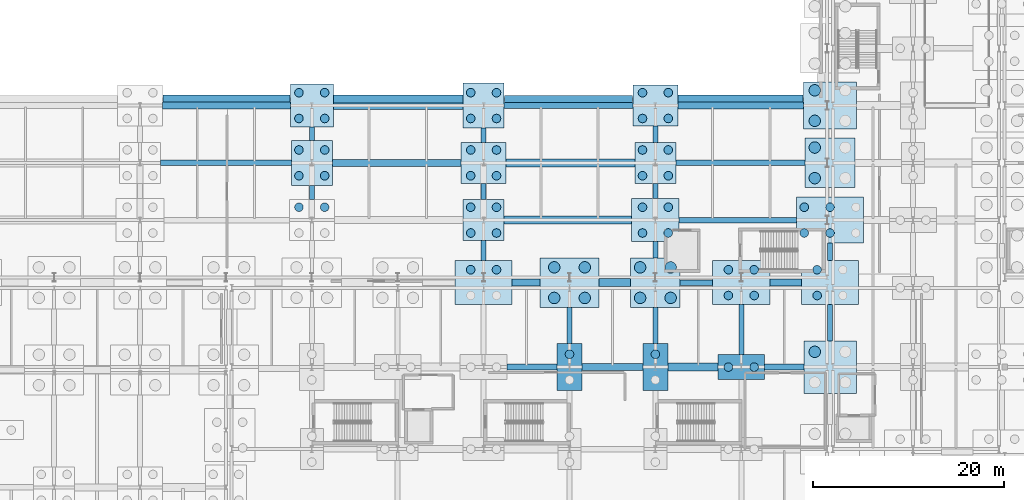
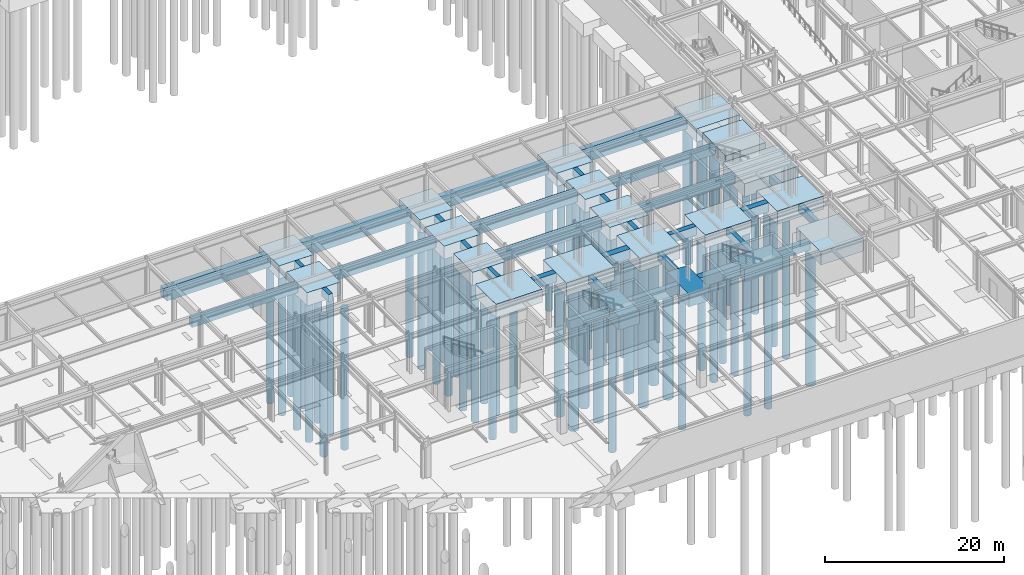
# One storey, part 5 of 65: 63 piles, 55 footings.
"""IFC4 building model written with IfcOpenShell, lengths in metres."""

from ifc_helpers import new_model, si_unit, direction, frame, origin, origin_2d, place, context, subcontext, project, spatial, rectangle, circle, extrude, material, material_profile, profile_set, type_object, element, save


model = new_model("IFC4")

# Units and contexts
model_context = context("Model", 3, precision=1e-05, world=origin(), true_north=direction((0.0, 1.0)))
body_context = subcontext(model_context, "Body", "Model", "MODEL_VIEW")
ifc_project = project(units=[si_unit("LENGTHUNIT", "METRE"), si_unit("AREAUNIT", "SQUARE_METRE"), si_unit("VOLUMEUNIT", "CUBIC_METRE"), si_unit("PLANEANGLEUNIT", "RADIAN"), si_unit("MASSUNIT", "GRAM", prefix="KILO")], contexts=[model_context])

# Site, building, storey
site_placement = place(None, origin())
site = spatial("IfcSite", under=ifc_project, at=site_placement, CompositionType="ELEMENT")
building_placement = place(site_placement, origin())
building = spatial("IfcBuilding", under=site, at=building_placement, Name="Kaldris Quays Convention Centre", CompositionType="ELEMENT")
storey_placement = place(building_placement, frame((0.0, 0.0, -5.39990234375)))
storey = spatial("IfcBuildingStorey", under=building, at=storey_placement, Name="B1", CompositionType="ELEMENT", Elevation=-5.39990234375)

# Piles
ifc_material = material(Name="Concrete C35/45", Category="concrete")
ifc_material_profile_1 = material_profile(ifc_material, circle(Radius=0.449951171875, at=origin_2d()), Name="BORED PILE D900")
ifc_profile_set_1 = profile_set([ifc_material_profile_1], Name="Concrete C35/45")
pile_type_1 = type_object("IfcPileType", Name="BORED PILE P01", PredefinedType="BORED", material=ifc_profile_set_1)
for number, where, z_axis, x_axis, name in (
    (1, (90.64990234375, 63.35009765625, -1.7001953125), (0.0, 0.0, -1.0), (1.0, 0.0, 0.0), "Bored Pile P01 325"),
    (2, (93.35009765625, 63.35009765625, -1.7001953125), (0.0, 0.0, -1.0), (1.0, 0.0, 0.0), "Bored Pile P01 326"),
    (3, (90.64990234375, 66.64990234375, -1.7001953125), (0.0, 0.0, -1.0), (1.0, 0.0, 0.0), "Bored Pile P01 327"),
    (4, (93.35009765625, 66.64990234375, -1.7001953125), (0.0, 0.0, -1.0), (1.0, 0.0, 0.0), "Bored Pile P01 328"),
    (5, (90.64990234375, 69.35009765625, -1.7001953125), (0.0, 0.0, -1.0), (1.0, 0.0, 0.0), "Bored Pile P01 329"),
    (6, (93.35009765625, 69.35009765625, -1.7001953125), (0.0, 0.0, -1.0), (1.0, 0.0, 0.0), "Bored Pile P01 330"),
    (7, (90.64990234375, 72.64990234375, -1.7001953125), (0.0, 0.0, -1.0), (1.0, 0.0, 0.0), "Bored Pile P01 331"),
    (8, (93.35009765625, 72.64990234375, -1.7001953125), (0.0, 0.0, -1.0), (1.0, 0.0, 0.0), "Bored Pile P01 332"),
    (9, (90.64990234375, 75.35009765625, -1.7001953125), (0.0, 0.0, -1.0), (1.0, 0.0, 0.0), "Bored Pile P01 333"),
    (10, (93.35009765625, 75.35009765625, -1.7001953125), (0.0, 0.0, -1.0), (1.0, 0.0, 0.0), "Bored Pile P01 334"),
    (11, (108.64990234375, 56.800048828125, -1.7001953125), (0.0, 0.0, -1.0), (1.0, 0.0, 0.0), "Bored Pile P01 365"),
    (12, (111.35009765625, 56.800048828125, -1.7001953125), (0.0, 0.0, -1.0), (1.0, 0.0, 0.0), "Bored Pile P01 366"),
    (13, (108.64990234375, 60.64990234375, -1.7001953125), (0.0, 0.0, -1.0), (1.0, 0.0, 0.0), "Bored Pile P01 367"),
    (14, (111.35009765625, 60.64990234375, -1.7001953125), (0.0, 0.0, -1.0), (1.0, 0.0, 0.0), "Bored Pile P01 368"),
    (15, (108.64990234375, 63.35009765625, -1.7001953125), (0.0, 0.0, -1.0), (1.0, 0.0, 0.0), "Bored Pile P01 369"),
    (16, (111.35009765625, 63.35009765625, -1.7001953125), (0.0, 0.0, -1.0), (1.0, 0.0, 0.0), "Bored Pile P01 370"),
    (17, (108.64990234375, 66.64990234375, -1.7001953125), (0.0, 0.0, -1.0), (1.0, 0.0, 0.0), "Bored Pile P01 371"),
    (18, (111.35009765625, 66.64990234375, -1.7001953125), (0.0, 0.0, -1.0), (1.0, 0.0, 0.0), "Bored Pile P01 372"),
    (19, (108.64990234375, 69.35009765625, -1.7001953125), (0.0, 0.0, -1.0), (1.0, 0.0, 0.0), "Bored Pile P01 373"),
    (20, (111.35009765625, 69.35009765625, -1.7001953125), (0.0, 0.0, -1.0), (1.0, 0.0, 0.0), "Bored Pile P01 374"),
    (21, (108.64990234375, 72.64990234375, -1.7001953125), (0.0, 0.0, -1.0), (1.0, 0.0, 0.0), "Bored Pile P01 375"),
    (22, (111.35009765625, 72.64990234375, -1.7001953125), (0.0, 0.0, -1.0), (1.0, 0.0, 0.0), "Bored Pile P01 376"),
    (23, (108.64990234375, 75.35009765625, -1.7001953125), (0.0, 0.0, -1.0), (1.0, 0.0, 0.0), "Bored Pile P01 377"),
    (24, (111.35009765625, 75.35009765625, -1.7001953125), (0.0, 0.0, -1.0), (1.0, 0.0, 0.0), "Bored Pile P01 378"),
    (25, (119.0, 47.949951171875, -1.7001953125), (0.0, 0.0, -1.0), (1.0, 0.0, 0.0), "Bored Pile P01 394"),
    (26, (128.0, 47.949951171875, -1.7001953125), (0.0, 0.0, -1.0), (1.0, 0.0, 0.0), "Bored Pile P01 406"),
    (27, (126.64990234375, 60.64990234375, -1.7001953125), (0.0, 0.0, -1.0), (1.0, 0.0, 0.0), "Bored Pile P01 411"),
    (28, (129.35009765625, 60.64990234375, -1.7001953125), (0.0, 0.0, -1.0), (1.0, 0.0, 0.0), "Bored Pile P01 412"),
    (29, (126.64990234375, 63.35009765625, -1.7001953125), (0.0, 0.0, -1.0), (1.0, 0.0, 0.0), "Bored Pile P01 413"),
    (30, (129.35009765625, 63.35009765625, -1.7001953125), (0.0, 0.0, -1.0), (1.0, 0.0, 0.0), "Bored Pile P01 414"),
    (31, (126.64990234375, 66.64990234375, -1.7001953125), (0.0, 0.0, -1.0), (1.0, 0.0, 0.0), "Bored Pile P01 415"),
    (32, (129.35009765625, 66.64990234375, -1.7001953125), (0.0, 0.0, -1.0), (1.0, 0.0, 0.0), "Bored Pile P01 416"),
    (33, (126.64990234375, 69.35009765625, -1.7001953125), (0.0, 0.0, -1.0), (1.0, 0.0, 0.0), "Bored Pile P01 417"),
    (34, (129.35009765625, 69.35009765625, -1.7001953125), (0.0, 0.0, -1.0), (1.0, 0.0, 0.0), "Bored Pile P01 418"),
    (35, (126.64990234375, 72.64990234375, -1.7001953125), (0.0, 0.0, -1.0), (1.0, 0.0, 0.0), "Bored Pile P01 419"),
    (36, (129.35009765625, 72.64990234375, -1.7001953125), (0.0, 0.0, -1.0), (1.0, 0.0, 0.0), "Bored Pile P01 420"),
    (37, (126.64990234375, 75.35009765625, -1.7001953125), (0.0, 0.0, -1.0), (1.0, 0.0, 0.0), "Bored Pile P01 421"),
    (38, (129.35009765625, 75.35009765625, -1.7001953125), (0.0, 0.0, -1.0), (1.0, 0.0, 0.0), "Bored Pile P01 422"),
    (39, (135.64990234375, 46.60009765625, -1.7001953125), (0.0, 0.0, -1.0), (1.0, 0.0, 0.0), "Bored Pile P01 437"),
    (40, (138.35009765625, 46.60009765625, -1.7001953125), (0.0, 0.0, -1.0), (1.0, 0.0, 0.0), "Bored Pile P01 438"),
    (41, (135.64990234375, 54.10009765625, -1.7001953125), (0.0, 0.0, -1.0), (1.0, 0.0, 0.0), "Bored Pile P01 439"),
    (42, (138.35009765625, 54.10009765625, -1.7001953125), (0.0, 0.0, -1.0), (1.0, 0.0, 0.0), "Bored Pile P01 440"),
    (43, (135.64990234375, 56.800048828125, -1.7001953125), (0.0, 0.0, -1.0), (1.0, 0.0, 0.0), "Bored Pile P01 441"),
    (44, (138.35009765625, 56.800048828125, -1.7001953125), (0.0, 0.0, -1.0), (1.0, 0.0, 0.0), "Bored Pile P01 442"),
    (45, (144.949951171875, 54.10009765625, -1.7001953125), (0.0, 0.0, -1.0), (1.0, 0.0, 0.0), "Bored Pile P01 459"),
    (46, (144.949951171875, 56.800048828125, -1.7001953125), (0.0, 0.0, -1.0), (1.0, 0.0, 0.0), "Bored Pile P01 461"),
    (47, (143.60009765625, 60.64990234375, -1.7001953125), (0.0, 0.0, -1.0), (1.0, 0.0, 0.0), "Bored Pile P01 463"),
    (48, (146.300048828125, 60.64990234375, -1.7001953125), (0.0, 0.0, -1.0), (1.0, 0.0, 0.0), "Bored Pile P01 464"),
    (49, (143.60009765625, 63.35009765625, -1.7001953125), (0.0, 0.0, -1.0), (1.0, 0.0, 0.0), "Bored Pile P01 466"),
    (50, (146.300048828125, 63.35009765625, -1.7001953125), (0.0, 0.0, -1.0), (1.0, 0.0, 0.0), "Bored Pile P01 467"),
):
    element("IfcPile", number, at=place(storey_placement, frame(where, z_axis=z_axis, x_axis=x_axis)), inside=storey, type_object=pile_type_1, Name=name, PredefinedType="BORED", context=body_context, shape_type="SweptSolid", body=[
        extrude(circle(Radius=0.449951171875, at=origin_2d()), origin(), (0.0, 0.0, 1.0), 19.300048828125),
    ])
ifc_material_profile_2 = material_profile(ifc_material, circle(Radius=0.60009765625, at=origin_2d()), Name="BORED PILE D1200")
ifc_profile_set_2 = profile_set([ifc_material_profile_2], Name="Concrete C35/45")
pile_type_2 = type_object("IfcPileType", Name="BORED PILE P02", PredefinedType="BORED", material=ifc_profile_set_2)
for number, where, z_axis, x_axis, name in (
    (51, (117.39990234375, 53.85009765625, -1.7001953125), (0.0, 0.0, -1.0), (1.0, 0.0, 0.0), "Bored Pile P02 395"),
    (52, (120.60009765625, 53.85009765625, -1.7001953125), (0.0, 0.0, -1.0), (1.0, 0.0, 0.0), "Bored Pile P02 396"),
    (53, (117.39990234375, 57.050048828125, -1.7001953125), (0.0, 0.0, -1.0), (1.0, 0.0, 0.0), "Bored Pile P02 397"),
    (54, (120.60009765625, 57.050048828125, -1.7001953125), (0.0, 0.0, -1.0), (1.0, 0.0, 0.0), "Bored Pile P02 398"),
    (55, (126.39990234375, 53.85009765625, -1.7001953125), (0.0, 0.0, -1.0), (1.0, 0.0, 0.0), "Bored Pile P02 407"),
    (56, (129.60009765625, 53.85009765625, -1.7001953125), (0.0, 0.0, -1.0), (1.0, 0.0, 0.0), "Bored Pile P02 408"),
    (57, (126.39990234375, 57.050048828125, -1.7001953125), (0.0, 0.0, -1.0), (1.0, 0.0, 0.0), "Bored Pile P02 409"),
    (58, (129.60009765625, 57.050048828125, -1.7001953125), (0.0, 0.0, -1.0), (1.0, 0.0, 0.0), "Bored Pile P02 410"),
    (59, (144.699951171875, 48.199951171875, -1.7001953125), (0.0, 0.0, -1.0), (1.0, 0.0, 0.0), "Bored Pile P02 457"),
    (60, (144.699951171875, 66.39990234375, -1.7001953125), (0.0, 0.0, -1.0), (1.0, 0.0, 0.0), "Bored Pile P02 469"),
    (61, (144.699951171875, 69.60009765625, -1.7001953125), (0.0, 0.0, -1.0), (1.0, 0.0, 0.0), "Bored Pile P02 471"),
    (62, (144.699951171875, 72.39990234375, -1.7001953125), (0.0, 0.0, -1.0), (1.0, 0.0, 0.0), "Bored Pile P02 473"),
    (63, (144.699951171875, 75.60009765625, -1.7001953125), (0.0, 0.0, -1.0), (1.0, 0.0, 0.0), "Bored Pile P02 475"),
):
    element("IfcPile", number, at=place(storey_placement, frame(where, z_axis=z_axis, x_axis=x_axis)), inside=storey, type_object=pile_type_2, Name=name, PredefinedType="BORED", context=body_context, shape_type="SweptSolid", body=[
        extrude(circle(Radius=0.60009765625, at=origin_2d()), origin(), (0.0, 0.0, 1.0), 19.300048828125),
    ])

# Footings
footing_type_1 = type_object("IfcFootingType", Name="CONCRETE FOOTING PC04", PredefinedType="PILE_CAP", material=ifc_material)
for number, where, z_axis, x_axis, name in (
    (64, (110.0, 62.0, -1.80029296875), (0.0, 0.0, 1.0), (1.0, 0.0, 0.0), "Pile Cap CAP-096 (PC04)"),
    (65, (128.0, 68.0, -1.80029296875), (0.0, 0.0, 1.0), (1.0, 0.0, 0.0), "Pile Cap CAP-111 (PC04)"),
):
    element("IfcFooting", number, at=place(storey_placement, frame(where, z_axis=z_axis, x_axis=x_axis)), inside=storey, type_object=footing_type_1, Name=name, PredefinedType="PILE_CAP", context=body_context, shape_type="SweptSolid", body=[
        extrude(rectangle(XDim=4.300048828125, YDim=4.300048828125, at=origin_2d()), origin(), (0.0, 0.0, 1.0), 1.800048828125),
    ])
footing_type_2 = type_object("IfcFootingType", Name="CONCRETE FOOTING PC05", PredefinedType="PILE_CAP", material=ifc_material)
for number, where, z_axis, x_axis, name in (
    (66, (128.0, 55.449951171875, -1.80029296875), (0.0, 0.0, 1.0), (1.0, 0.0, 0.0), "Pile Cap CAP-109 (PC05)"),
    (67, (146.300048828125, 68.0, -1.80029296875), (0.0, 0.0, 1.0), (1.0, 0.0, 0.0), "Pile Cap CAP-127 (PC05)"),
):
    element("IfcFooting", number, at=place(storey_placement, frame(where, z_axis=z_axis, x_axis=x_axis)), inside=storey, type_object=footing_type_2, Name=name, PredefinedType="PILE_CAP", context=body_context, shape_type="SweptSolid", body=[
        extrude(rectangle(XDim=5.199951171875, YDim=5.199951171875, at=origin_2d()), origin(), (0.0, 0.0, 1.0), 1.800048828125),
    ])
footing_type_3 = type_object("IfcFootingType", Name="CONCRETE FOOTING PC06", PredefinedType="PILE_CAP", material=ifc_material)
footing_1_placement = place(storey_placement, frame((146.300048828125, 62.0, -1.80029296875), z_axis=(0.0, 0.0, 1.0), x_axis=(1.0, 0.0, 0.0)))
element("IfcFooting", 68, at=footing_1_placement, inside=storey, type_object=footing_type_3, Name="Pile Cap CAP-126 (PC06)", PredefinedType="PILE_CAP", context=body_context, shape_type="SweptSolid", body=[
    extrude(rectangle(XDim=7.0, YDim=4.800048828125, at=origin_2d()), origin(), (0.0, 0.0, 1.0), 1.800048828125),
])
footing_type_4 = type_object("IfcFootingType", Name="CONCRETE FOOTING PC07", PredefinedType="PILE_CAP", material=ifc_material)
for number, where, z_axis, x_axis, name in (
    (69, (110.0, 68.0, -1.80029296875), (0.0, 0.0, 1.0), (1.0, 0.0, 0.0), "Pile Cap CAP-097 (PC07)"),
    (70, (128.0, 74.0, -1.80029296875), (0.0, 0.0, 1.0), (1.0, 0.0, 0.0), "Pile Cap CAP-112 (PC07)"),
):
    element("IfcFooting", number, at=place(storey_placement, frame(where, z_axis=z_axis, x_axis=x_axis)), inside=storey, type_object=footing_type_4, Name=name, PredefinedType="PILE_CAP", context=body_context, shape_type="SweptSolid", body=[
        extrude(rectangle(XDim=4.699951171875, YDim=4.300048828125, at=origin_2d()), origin(), (0.0, 0.0, 1.0), 1.800048828125),
    ])
footing_type_5 = type_object("IfcFootingType", Name="CONCRETE FOOTING PC08", PredefinedType="PILE_CAP", material=ifc_material)
for number, where, z_axis, x_axis, name in (
    (71, (92.0, 68.0, -1.80029296875), (0.0, 0.0, 1.0), (1.0, 0.0, 0.0), "Pile Cap CAP-083 (PC08)"),
    (72, (110.0, 74.0, -1.80029296875), (0.0, 0.0, 1.0), (1.0, 0.0, 0.0), "Pile Cap CAP-098 (PC08)"),
):
    element("IfcFooting", number, at=place(storey_placement, frame(where, z_axis=z_axis, x_axis=x_axis)), inside=storey, type_object=footing_type_5, Name=name, PredefinedType="PILE_CAP", context=body_context, shape_type="SweptSolid", body=[
        extrude(rectangle(XDim=4.300048828125, YDim=4.699951171875, at=origin_2d()), origin(), (0.0, 0.0, 1.0), 1.800048828125),
    ])
footing_type_6 = type_object("IfcFootingType", Name="CONCRETE FOOTING PC09", PredefinedType="PILE_CAP", material=ifc_material)
footing_2_placement = place(storey_placement, frame((146.300048828125, 74.0, -1.80029296875), z_axis=(0.0, 0.0, 1.0), x_axis=(1.0, 0.0, 0.0)))
element("IfcFooting", 73, at=footing_2_placement, inside=storey, type_object=footing_type_6, Name="Pile Cap CAP-128 (PC09)", PredefinedType="PILE_CAP", context=body_context, shape_type="SweptSolid", body=[
    extrude(rectangle(XDim=5.60009765625, YDim=4.89990234375, at=origin_2d()), origin(), (0.0, 0.0, 1.0), 1.800048828125),
])
footing_type_7 = type_object("IfcFootingType", Name="CONCRETE FOOTING PC10", PredefinedType="PILE_CAP", material=ifc_material)
footing_3_placement = place(storey_placement, frame((119.0, 55.449951171875, -1.80029296875), z_axis=(0.0, 0.0, 1.0), x_axis=(1.0, 0.0, 0.0)))
element("IfcFooting", 74, at=footing_3_placement, inside=storey, type_object=footing_type_7, Name="Pile Cap CAP-105 (PC10)", PredefinedType="PILE_CAP", context=body_context, shape_type="SweptSolid", body=[
    extrude(rectangle(XDim=6.199951171875, YDim=5.199951171875, at=origin_2d()), origin(), (0.0, 0.0, 1.0), 1.800048828125),
])
footing_type_8 = type_object("IfcFootingType", Name="CONCRETE FOOTING PC11", PredefinedType="PILE_CAP", material=ifc_material)
footing_4_placement = place(storey_placement, frame((137.0, 46.60009765625, -1.80029296875), z_axis=(0.0, 0.0, 1.0), x_axis=(1.0, 0.0, 0.0)))
element("IfcFooting", 75, at=footing_4_placement, inside=storey, type_object=footing_type_8, Name="Pile Cap CAP-118 (PC11)", PredefinedType="PILE_CAP", context=body_context, shape_type="SweptSolid", body=[
    extrude(rectangle(XDim=4.89990234375, YDim=2.60009765625, at=origin_2d()), origin(), (0.0, 0.0, 1.0), 1.800048828125),
])
footing_type_9 = type_object("IfcFootingType", Name="CONCRETE FOOTING PC12", PredefinedType="PILE_CAP", material=ifc_material)
for number, where, z_axis, x_axis, name in (
    (76, (119.0, 46.60009765625, -1.80029296875), (0.0, 0.0, 1.0), (1.0, 0.0, 0.0), "Pile Cap CAP-104 (PC12)"),
    (77, (128.0, 46.60009765625, -1.80029296875), (0.0, 0.0, 1.0), (1.0, 0.0, 0.0), "Pile Cap CAP-108 (PC12)"),
):
    element("IfcFooting", number, at=place(storey_placement, frame(where, z_axis=z_axis, x_axis=x_axis)), inside=storey, type_object=footing_type_9, Name=name, PredefinedType="PILE_CAP", context=body_context, shape_type="SweptSolid", body=[
        extrude(rectangle(XDim=2.60009765625, YDim=4.89990234375, at=origin_2d()), origin(), (0.0, 0.0, 1.0), 1.800048828125),
    ])
footing_type_10 = type_object("IfcFootingType", Name="CONCRETE FOOTING PC13", PredefinedType="PILE_CAP", material=ifc_material)
footing_5_placement = place(storey_placement, frame((92.0, 74.0, -1.80029296875), z_axis=(0.0, 0.0, 1.0), x_axis=(1.0, 0.0, 0.0)))
element("IfcFooting", 78, at=footing_5_placement, inside=storey, type_object=footing_type_10, Name="Pile Cap CAP-084 (PC13)", PredefinedType="PILE_CAP", context=body_context, shape_type="SweptSolid", body=[
    extrude(rectangle(XDim=4.5, YDim=4.5, at=origin_2d()), origin(), (0.0, 0.0, 1.0), 1.800048828125),
])
footing_type_11 = type_object("IfcFootingType", Name="CONCRETE FOOTING PC14", PredefinedType="PILE_CAP", material=ifc_material)
footing_6_placement = place(storey_placement, frame((128.0, 62.0, -1.80029296875), z_axis=(0.0, 0.0, 1.0), x_axis=(1.0, 0.0, 0.0)))
element("IfcFooting", 79, at=footing_6_placement, inside=storey, type_object=footing_type_11, Name="Pile Cap CAP-110 (PC14)", PredefinedType="PILE_CAP", context=body_context, shape_type="SweptSolid", body=[
    extrude(rectangle(XDim=5.0, YDim=4.5, at=origin_2d()), origin(), (0.0, 0.0, 1.0), 1.800048828125),
])
footing_type_12 = type_object("IfcFootingType", Name="CONCRETE FOOTING PC15", PredefinedType="PILE_CAP", material=ifc_material)
footing_7_placement = place(storey_placement, frame((146.300048828125, 46.60009765625, -1.80029296875), z_axis=(0.0, 0.0, 1.0), x_axis=(1.0, 0.0, 0.0)))
element("IfcFooting", 80, at=footing_7_placement, inside=storey, type_object=footing_type_12, Name="Pile Cap CAP-124 (PC15)", PredefinedType="PILE_CAP", context=body_context, shape_type="SweptSolid", body=[
    extrude(rectangle(XDim=5.5, YDim=5.5, at=origin_2d()), origin(), (0.0, 0.0, 1.0), 1.800048828125),
])
footing_type_13 = type_object("IfcFootingType", Name="CONCRETE FOOTING PC16", PredefinedType="PILE_CAP", material=ifc_material)
for number, where, z_axis, x_axis, name in (
    (81, (110.0, 55.449951171875, -1.80029296875), (0.0, 0.0, 1.0), (1.0, 0.0, 0.0), "Pile Cap CAP-095 (PC16)"),
    (82, (137.0, 55.449951171875, -1.80029296875), (0.0, 0.0, 1.0), (1.0, 0.0, 0.0), "Pile Cap CAP-119 (PC16)"),
    (83, (146.300048828125, 55.449951171875, -1.80029296875), (0.0, 0.0, 1.0), (1.0, 0.0, 0.0), "Pile Cap CAP-125 (PC16)"),
):
    element("IfcFooting", number, at=place(storey_placement, frame(where, z_axis=z_axis, x_axis=x_axis)), inside=storey, type_object=footing_type_13, Name=name, PredefinedType="PILE_CAP", context=body_context, shape_type="SweptSolid", body=[
        extrude(rectangle(XDim=6.0, YDim=4.60009765625, at=origin_2d()), origin(), (0.0, 0.0, 1.0), 1.800048828125),
    ])
footing_type_14 = type_object("IfcFootingType", Name="GROUND TIE BEAM GB01", PredefinedType="FOOTING_BEAM", material=ifc_material)
footing_8_placement = place(storey_placement, frame((115.074951171875, 46.60009765625, -1.2001953125), z_axis=(0.0, 0.0, 1.0), x_axis=(1.0, 0.0, 0.0)))
element("IfcFooting", 84, at=footing_8_placement, inside=storey, type_object=footing_type_14, Name="Ground Tie Beam GB01 60", PredefinedType="FOOTING_BEAM", context=body_context, shape_type="SweptSolid", body=[
    extrude(rectangle(XDim=5.25, YDim=0.60009765625, at=origin_2d()), origin(), (0.0, 0.0, 1.0), 1.199951171875),
])
footing_9_placement = place(storey_placement, frame((141.5, 46.60009765625, -1.2001953125), z_axis=(0.0, 0.0, 1.0), x_axis=(1.0, 0.0, 0.0)))
element("IfcFooting", 85, at=footing_9_placement, inside=storey, type_object=footing_type_14, Name="Ground Tie Beam GB01 63", PredefinedType="FOOTING_BEAM", context=body_context, shape_type="SweptSolid", body=[
    extrude(rectangle(XDim=4.10009765625, YDim=0.60009765625, at=origin_2d()), origin(), (0.0, 0.0, 1.0), 1.199951171875),
])
footing_10_placement = place(storey_placement, frame((132.300048828125, 55.449951171875, -1.2001953125), z_axis=(0.0, 0.0, 1.0), x_axis=(1.0, 0.0, 0.0)))
element("IfcFooting", 86, at=footing_10_placement, inside=storey, type_object=footing_type_14, Name="Ground Tie Beam GB01 81", PredefinedType="FOOTING_BEAM", context=body_context, shape_type="SweptSolid", body=[
    extrude(rectangle(XDim=3.39990234375, YDim=0.60009765625, at=origin_2d()), origin(), (0.0, 0.0, 1.0), 1.199951171875),
])
footing_11_placement = place(storey_placement, frame((136.64990234375, 62.0, -1.2001953125), z_axis=(0.0, 0.0, 1.0), x_axis=(1.0, 0.0, 0.0)))
element("IfcFooting", 87, at=footing_11_placement, inside=storey, type_object=footing_type_14, Name="Ground Tie Beam GB01 90", PredefinedType="FOOTING_BEAM", context=body_context, shape_type="SweptSolid", body=[
    extrude(rectangle(XDim=12.300048828125, YDim=0.60009765625, at=origin_2d()), origin(), (0.0, 0.0, 1.0), 1.199951171875),
])
footing_12_placement = place(storey_placement, frame((83.0, 68.0, -1.2001953125), z_axis=(0.0, 0.0, 1.0), x_axis=(1.0, 0.0, 0.0)))
element("IfcFooting", 88, at=footing_12_placement, inside=storey, type_object=footing_type_14, Name="Ground Tie Beam GB01 96", PredefinedType="FOOTING_BEAM", context=body_context, shape_type="SweptSolid", body=[
    extrude(rectangle(XDim=13.699951171875, YDim=0.60009765625, at=origin_2d()), origin(), (0.0, 0.0, 1.0), 1.199951171875),
])
footing_13_placement = place(storey_placement, frame((136.925048828125, 68.0, -1.2001953125), z_axis=(0.0, 0.0, 1.0), x_axis=(1.0, 0.0, 0.0)))
element("IfcFooting", 89, at=footing_13_placement, inside=storey, type_object=footing_type_14, Name="Ground Tie Beam GB01 99", PredefinedType="FOOTING_BEAM", context=body_context, shape_type="SweptSolid", body=[
    extrude(rectangle(XDim=13.550048828125, YDim=0.60009765625, at=origin_2d()), origin(), (0.0, 0.0, 1.0), 1.199951171875),
])
footing_14_placement = place(storey_placement, frame((118.89990234375, 74.0, -1.2001953125), z_axis=(0.0, 0.0, 1.0), x_axis=(1.0, 0.0, 0.0)))
element("IfcFooting", 90, at=footing_14_placement, inside=storey, type_object=footing_type_14, Name="Ground Tie Beam GB01 111", PredefinedType="FOOTING_BEAM", context=body_context, shape_type="SweptSolid", body=[
    extrude(rectangle(XDim=13.5, YDim=0.60009765625, at=origin_2d()), origin(), (0.0, 0.0, 1.0), 1.199951171875),
])
footing_type_15 = type_object("IfcFootingType", Name="GROUND TIE BEAM GB02", PredefinedType="FOOTING_BEAM", material=ifc_material)
footing_15_placement = place(storey_placement, frame((123.5, 46.60009765625, -1.25), z_axis=(0.0, 0.0, 1.0), x_axis=(1.0, 0.0, 0.0)))
element("IfcFooting", 91, at=footing_15_placement, inside=storey, type_object=footing_type_15, Name="Ground Tie Beam GB02 61", PredefinedType="FOOTING_BEAM", context=body_context, shape_type="SweptSolid", body=[
    extrude(rectangle(XDim=6.39990234375, YDim=0.719970703125, at=origin_2d()), origin(), (0.0, 0.0, 1.0), 1.25),
])
footing_16_placement = place(storey_placement, frame((114.449951171875, 55.449951171875, -1.25), z_axis=(0.0, 0.0, 1.0), x_axis=(1.0, 0.0, 0.0)))
element("IfcFooting", 92, at=footing_16_placement, inside=storey, type_object=footing_type_15, Name="Ground Tie Beam GB02 79", PredefinedType="FOOTING_BEAM", context=body_context, shape_type="SweptSolid", body=[
    extrude(rectangle(XDim=2.89990234375, YDim=0.719970703125, at=origin_2d()), origin(), (0.0, 0.0, 1.0), 1.25),
])
footing_17_placement = place(storey_placement, frame((141.64990234375, 55.449951171875, -1.25), z_axis=(0.0, 0.0, 1.0), x_axis=(1.0, 0.0, 0.0)))
element("IfcFooting", 93, at=footing_17_placement, inside=storey, type_object=footing_type_15, Name="Ground Tie Beam GB02 82", PredefinedType="FOOTING_BEAM", context=body_context, shape_type="SweptSolid", body=[
    extrude(rectangle(XDim=3.300048828125, YDim=0.719970703125, at=origin_2d()), origin(), (0.0, 0.0, 1.0), 1.25),
])
footing_18_placement = place(storey_placement, frame((100.89990234375, 68.0, -1.25), z_axis=(0.0, 0.0, 1.0), x_axis=(1.0, 0.0, 0.0)))
element("IfcFooting", 94, at=footing_18_placement, inside=storey, type_object=footing_type_15, Name="Ground Tie Beam GB02 97", PredefinedType="FOOTING_BEAM", context=body_context, shape_type="SweptSolid", body=[
    extrude(rectangle(XDim=13.5, YDim=0.719970703125, at=origin_2d()), origin(), (0.0, 0.0, 1.0), 1.25),
])
footing_19_placement = place(storey_placement, frame((83.050048828125, 74.0, -1.25), z_axis=(0.0, 0.0, 1.0), x_axis=(1.0, 0.0, 0.0)))
element("IfcFooting", 95, at=footing_19_placement, inside=storey, type_object=footing_type_15, Name="Ground Tie Beam GB02 109", PredefinedType="FOOTING_BEAM", context=body_context, shape_type="SweptSolid", body=[
    extrude(rectangle(XDim=13.39990234375, YDim=0.719970703125, at=origin_2d()), origin(), (0.0, 0.0, 1.0), 1.25),
])
footing_20_placement = place(storey_placement, frame((136.925048828125, 74.0, -1.25), z_axis=(0.0, 0.0, 1.0), x_axis=(1.0, 0.0, 0.0)))
element("IfcFooting", 96, at=footing_20_placement, inside=storey, type_object=footing_type_15, Name="Ground Tie Beam GB02 112", PredefinedType="FOOTING_BEAM", context=body_context, shape_type="SweptSolid", body=[
    extrude(rectangle(XDim=13.14990234375, YDim=0.719970703125, at=origin_2d()), origin(), (0.0, 0.0, 1.0), 1.25),
])
footing_type_16 = type_object("IfcFootingType", Name="GROUND TIE BEAM GB03", PredefinedType="FOOTING_BEAM", material=ifc_material)
footing_21_placement = place(storey_placement, frame((92.0, 64.89990234375, -1.05029296875), z_axis=(0.0, 0.0, 1.0), x_axis=(1.0, 0.0, 0.0)))
element("IfcFooting", 97, at=footing_21_placement, inside=storey, type_object=footing_type_16, Name="Ground Tie Beam GB03 236", PredefinedType="FOOTING_BEAM", context=body_context, shape_type="SweptSolid", body=[
    extrude(rectangle(XDim=0.52001953125, YDim=1.5, at=origin_2d()), origin(), (0.0, 0.0, 1.0), 1.050048828125),
])
footing_22_placement = place(storey_placement, frame((92.0, 71.050048828125, -1.05029296875), z_axis=(0.0, 0.0, 1.0), x_axis=(1.0, 0.0, 0.0)))
element("IfcFooting", 98, at=footing_22_placement, inside=storey, type_object=footing_type_16, Name="Ground Tie Beam GB03 237", PredefinedType="FOOTING_BEAM", context=body_context, shape_type="SweptSolid", body=[
    extrude(rectangle(XDim=0.52001953125, YDim=1.39990234375, at=origin_2d()), origin(), (0.0, 0.0, 1.0), 1.050048828125),
])
footing_23_placement = place(storey_placement, frame((110.0, 58.800048828125, -1.05029296875), z_axis=(0.0, 0.0, 1.0), x_axis=(1.0, 0.0, 0.0)))
element("IfcFooting", 99, at=footing_23_placement, inside=storey, type_object=footing_type_16, Name="Ground Tie Beam GB03 245", PredefinedType="FOOTING_BEAM", context=body_context, shape_type="SweptSolid", body=[
    extrude(rectangle(XDim=0.52001953125, YDim=2.10009765625, at=origin_2d()), origin(), (0.0, 0.0, 1.0), 1.050048828125),
])
footing_24_placement = place(storey_placement, frame((110.0, 65.0, -1.05029296875), z_axis=(0.0, 0.0, 1.0), x_axis=(1.0, 0.0, 0.0)))
element("IfcFooting", 100, at=footing_24_placement, inside=storey, type_object=footing_type_16, Name="Ground Tie Beam GB03 246", PredefinedType="FOOTING_BEAM", context=body_context, shape_type="SweptSolid", body=[
    extrude(rectangle(XDim=0.52001953125, YDim=1.699951171875, at=origin_2d()), origin(), (0.0, 0.0, 1.0), 1.050048828125),
])
footing_25_placement = place(storey_placement, frame((110.0, 70.89990234375, -1.05029296875), z_axis=(0.0, 0.0, 1.0), x_axis=(1.0, 0.0, 0.0)))
element("IfcFooting", 101, at=footing_25_placement, inside=storey, type_object=footing_type_16, Name="Ground Tie Beam GB03 247", PredefinedType="FOOTING_BEAM", context=body_context, shape_type="SweptSolid", body=[
    extrude(rectangle(XDim=0.52001953125, YDim=1.5, at=origin_2d()), origin(), (0.0, 0.0, 1.0), 1.050048828125),
])
for number, where, z_axis, x_axis, name in (
    (102, (119.0, 50.949951171875, -1.05029296875), (0.0, 0.0, 1.0), (1.0, 0.0, 0.0), "Ground Tie Beam GB03 252"),
    (103, (128.0, 50.949951171875, -1.05029296875), (0.0, 0.0, 1.0), (1.0, 0.0, 0.0), "Ground Tie Beam GB03 254"),
):
    element("IfcFooting", number, at=place(storey_placement, frame(where, z_axis=z_axis, x_axis=x_axis)), inside=storey, type_object=footing_type_16, Name=name, PredefinedType="FOOTING_BEAM", context=body_context, shape_type="SweptSolid", body=[
        extrude(rectangle(XDim=0.52001953125, YDim=3.800048828125, at=origin_2d()), origin(), (0.0, 0.0, 1.0), 1.050048828125),
    ])
footing_26_placement = place(storey_placement, frame((128.0, 58.89990234375, -1.05029296875), z_axis=(0.0, 0.0, 1.0), x_axis=(1.0, 0.0, 0.0)))
element("IfcFooting", 104, at=footing_26_placement, inside=storey, type_object=footing_type_16, Name="Ground Tie Beam GB03 255", PredefinedType="FOOTING_BEAM", context=body_context, shape_type="SweptSolid", body=[
    extrude(rectangle(XDim=0.52001953125, YDim=1.699951171875, at=origin_2d()), origin(), (0.0, 0.0, 1.0), 1.050048828125),
])
footing_27_placement = place(storey_placement, frame((128.0, 65.050048828125, -1.05029296875), z_axis=(0.0, 0.0, 1.0), x_axis=(1.0, 0.0, 0.0)))
element("IfcFooting", 105, at=footing_27_placement, inside=storey, type_object=footing_type_16, Name="Ground Tie Beam GB03 256", PredefinedType="FOOTING_BEAM", context=body_context, shape_type="SweptSolid", body=[
    extrude(rectangle(XDim=0.52001953125, YDim=1.60009765625, at=origin_2d()), origin(), (0.0, 0.0, 1.0), 1.050048828125),
])
footing_28_placement = place(storey_placement, frame((128.0, 71.0, -1.05029296875), z_axis=(0.0, 0.0, 1.0), x_axis=(1.0, 0.0, 0.0)))
element("IfcFooting", 106, at=footing_28_placement, inside=storey, type_object=footing_type_16, Name="Ground Tie Beam GB03 257", PredefinedType="FOOTING_BEAM", context=body_context, shape_type="SweptSolid", body=[
    extrude(rectangle(XDim=0.52001953125, YDim=1.699951171875, at=origin_2d()), origin(), (0.0, 0.0, 1.0), 1.050048828125),
])
footing_29_placement = place(storey_placement, frame((137.0, 50.52490234375, -1.05029296875), z_axis=(0.0, 0.0, 1.0), x_axis=(1.0, 0.0, 0.0)))
element("IfcFooting", 107, at=footing_29_placement, inside=storey, type_object=footing_type_16, Name="Ground Tie Beam GB03 262", PredefinedType="FOOTING_BEAM", context=body_context, shape_type="SweptSolid", body=[
    extrude(rectangle(XDim=0.52001953125, YDim=5.25, at=origin_2d()), origin(), (0.0, 0.0, 1.0), 1.050048828125),
])
footing_30_placement = place(storey_placement, frame((146.300048828125, 51.25, -1.05029296875), z_axis=(0.0, 0.0, 1.0), x_axis=(1.0, 0.0, 0.0)))
element("IfcFooting", 108, at=footing_30_placement, inside=storey, type_object=footing_type_16, Name="Ground Tie Beam GB03 267", PredefinedType="FOOTING_BEAM", context=body_context, shape_type="SweptSolid", body=[
    extrude(rectangle(XDim=0.52001953125, YDim=3.800048828125, at=origin_2d()), origin(), (0.0, 0.0, 1.0), 1.050048828125),
])
footing_31_placement = place(storey_placement, frame((146.300048828125, 58.675048828125, -1.05029296875), z_axis=(0.0, 0.0, 1.0), x_axis=(1.0, 0.0, 0.0)))
element("IfcFooting", 109, at=footing_31_placement, inside=storey, type_object=footing_type_16, Name="Ground Tie Beam GB03 268", PredefinedType="FOOTING_BEAM", context=body_context, shape_type="SweptSolid", body=[
    extrude(rectangle(XDim=0.52001953125, YDim=1.85009765625, at=origin_2d()), origin(), (0.0, 0.0, 1.0), 1.050048828125),
])
footing_type_17 = type_object("IfcFootingType", Name="GROUND TIE BEAM GB04", PredefinedType="FOOTING_BEAM", material=ifc_material)
footing_32_placement = place(storey_placement, frame((131.925048828125, 46.60009765625, -1.35009765625), z_axis=(0.0, 0.0, 1.0), x_axis=(1.0, 0.0, 0.0)))
element("IfcFooting", 110, at=footing_32_placement, inside=storey, type_object=footing_type_17, Name="Ground Tie Beam GB04 62", PredefinedType="FOOTING_BEAM", context=body_context, shape_type="SweptSolid", body=[
    extrude(rectangle(XDim=5.25, YDim=0.840087890625, at=origin_2d()), origin(), (0.0, 0.0, 1.0), 1.35009765625),
])
footing_33_placement = place(storey_placement, frame((123.75, 55.449951171875, -1.35009765625), z_axis=(0.0, 0.0, 1.0), x_axis=(1.0, 0.0, 0.0)))
element("IfcFooting", 111, at=footing_33_placement, inside=storey, type_object=footing_type_17, Name="Ground Tie Beam GB04 80", PredefinedType="FOOTING_BEAM", context=body_context, shape_type="SweptSolid", body=[
    extrude(rectangle(XDim=3.300048828125, YDim=0.840087890625, at=origin_2d()), origin(), (0.0, 0.0, 1.0), 1.35009765625),
])
footing_34_placement = place(storey_placement, frame((118.824951171875, 62.0, -1.35009765625), z_axis=(0.0, 0.0, 1.0), x_axis=(1.0, 0.0, 0.0)))
element("IfcFooting", 112, at=footing_34_placement, inside=storey, type_object=footing_type_17, Name="Ground Tie Beam GB04 89", PredefinedType="FOOTING_BEAM", context=body_context, shape_type="SweptSolid", body=[
    extrude(rectangle(XDim=13.35009765625, YDim=0.840087890625, at=origin_2d()), origin(), (0.0, 0.0, 1.0), 1.35009765625),
])
footing_35_placement = place(storey_placement, frame((119.10009765625, 68.0, -1.35009765625), z_axis=(0.0, 0.0, 1.0), x_axis=(1.0, 0.0, 0.0)))
element("IfcFooting", 113, at=footing_35_placement, inside=storey, type_object=footing_type_17, Name="Ground Tie Beam GB04 98", PredefinedType="FOOTING_BEAM", context=body_context, shape_type="SweptSolid", body=[
    extrude(rectangle(XDim=13.5, YDim=0.840087890625, at=origin_2d()), origin(), (0.0, 0.0, 1.0), 1.35009765625),
])
footing_36_placement = place(storey_placement, frame((101.050048828125, 74.0, -1.35009765625), z_axis=(0.0, 0.0, 1.0), x_axis=(1.0, 0.0, 0.0)))
element("IfcFooting", 114, at=footing_36_placement, inside=storey, type_object=footing_type_17, Name="Ground Tie Beam GB04 110", PredefinedType="FOOTING_BEAM", context=body_context, shape_type="SweptSolid", body=[
    extrude(rectangle(XDim=13.60009765625, YDim=0.840087890625, at=origin_2d()), origin(), (0.0, 0.0, 1.0), 1.35009765625),
])
footing_37_placement = place(storey_placement, frame((136.925048828125, 74.669921875, -1.35009765625), z_axis=(0.0, 0.0, 1.0), x_axis=(1.0, 0.0, 0.0)))
element("IfcFooting", 115, at=footing_37_placement, inside=storey, type_object=footing_type_17, Name="Perimeter Retaining Wall Strip Footing GB04 10", PredefinedType="FOOTING_BEAM", context=body_context, shape_type="SweptSolid", body=[
    extrude(rectangle(XDim=13.090087890625, YDim=0.840087890625, at=origin_2d()), origin(), (0.0, 0.0, 1.0), 1.35009765625),
])
footing_38_placement = place(storey_placement, frame((118.89990234375, 74.64990234375, -1.35009765625), z_axis=(0.0, 0.0, 1.0), x_axis=(1.0, 0.0, 0.0)))
element("IfcFooting", 116, at=footing_38_placement, inside=storey, type_object=footing_type_17, Name="Perimeter Retaining Wall Strip Footing GB04 11", PredefinedType="FOOTING_BEAM", context=body_context, shape_type="SweptSolid", body=[
    extrude(rectangle(XDim=13.43994140625, YDim=0.840087890625, at=origin_2d()), origin(), (0.0, 0.0, 1.0), 1.35009765625),
])
footing_39_placement = place(storey_placement, frame((101.050048828125, 74.699951171875, -1.35009765625), z_axis=(0.0, 0.0, 1.0), x_axis=(1.0, 0.0, 0.0)))
element("IfcFooting", 117, at=footing_39_placement, inside=storey, type_object=footing_type_17, Name="Perimeter Retaining Wall Strip Footing GB04 12", PredefinedType="FOOTING_BEAM", context=body_context, shape_type="SweptSolid", body=[
    extrude(rectangle(XDim=13.5400390625, YDim=0.840087890625, at=origin_2d()), origin(), (0.0, 0.0, 1.0), 1.35009765625),
])
footing_40_placement = place(storey_placement, frame((83.050048828125, 74.669921875, -1.35009765625), z_axis=(0.0, 0.0, 1.0), x_axis=(1.0, 0.0, 0.0)))
element("IfcFooting", 118, at=footing_40_placement, inside=storey, type_object=footing_type_17, Name="Perimeter Retaining Wall Strip Footing GB04 13", PredefinedType="FOOTING_BEAM", context=body_context, shape_type="SweptSolid", body=[
    extrude(rectangle(XDim=13.340087890625, YDim=0.840087890625, at=origin_2d()), origin(), (0.0, 0.0, 1.0), 1.35009765625),
])

save(model, "model.ifc")
